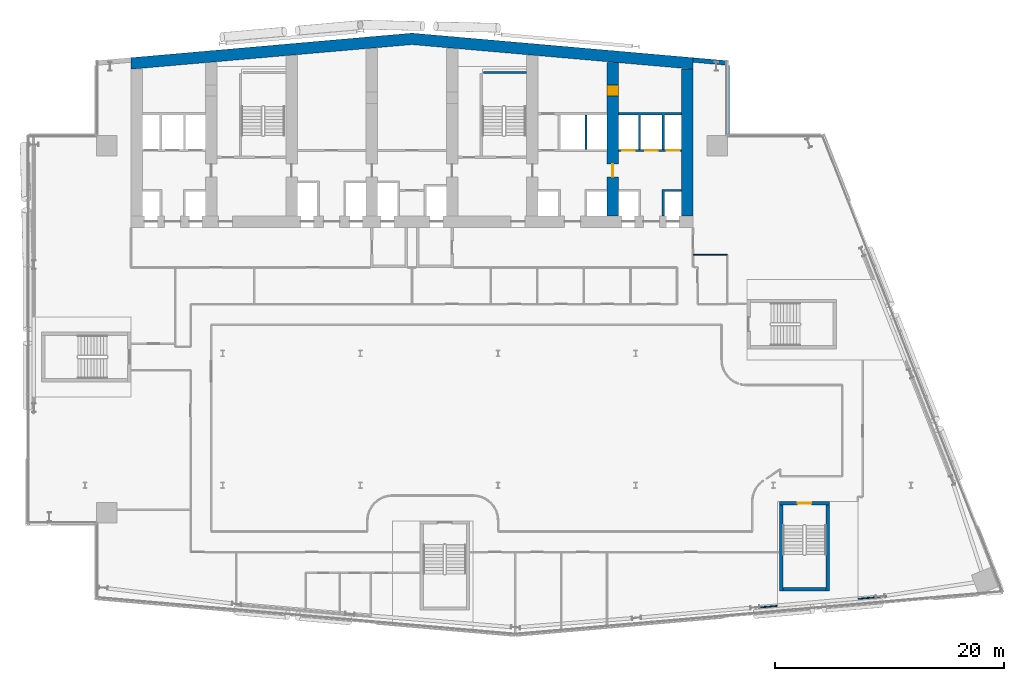
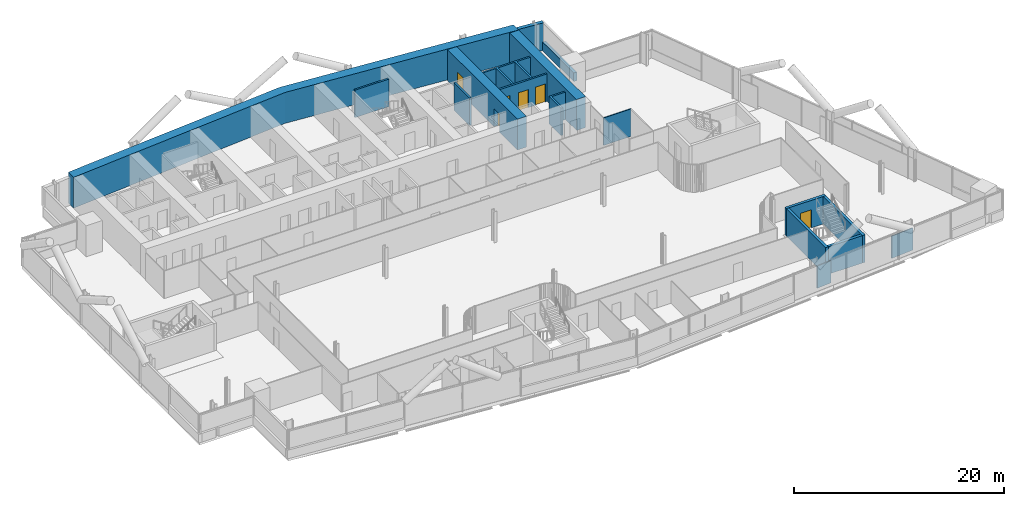
# One storey, part 22 of 30: 17 walls, 6 doors, 6 openings.
"""IFC4 building model written with IfcOpenShell, lengths in metres."""

from ifc_helpers import new_model, si_unit, direction, frame, frame_2d, origin, place, context, subcontext, project, spatial, polyline, rectangle, outline, extrude, material, layer, layer_set, type_object, element, fill, save


model = new_model("IFC4")

# Units and contexts
model_context = context("Model", 3, precision=1e-05, world=origin(), true_north=direction((0.0, 1.0)))
body_context = subcontext(model_context, "Body", "Model", "MODEL_VIEW")
ifc_project = project(units=[si_unit("LENGTHUNIT", "METRE"), si_unit("AREAUNIT", "SQUARE_METRE"), si_unit("VOLUMEUNIT", "CUBIC_METRE"), si_unit("PLANEANGLEUNIT", "RADIAN"), si_unit("MASSUNIT", "GRAM", prefix="KILO")], contexts=[model_context])

# Site, building, storey
site_placement = place(None, origin())
site = spatial("IfcSite", under=ifc_project, at=site_placement, CompositionType="ELEMENT")
building_placement = place(site_placement, origin())
building = spatial("IfcBuilding", under=site, at=building_placement, Name="Wharfspan Tower", CompositionType="ELEMENT")
storey_placement = place(building_placement, frame((0.0, 0.0, 100.300049)))
storey = spatial("IfcBuildingStorey", under=building, at=storey_placement, Name="L22", CompositionType="ELEMENT", Elevation=100.300049)

# Walls
ifc_material_1 = material(Name="Gypsum board on steel studs", Category="steel")
ifc_layer_1 = layer(ifc_material_1, 0.100098)
ifc_layer_set_1 = layer_set([ifc_layer_1], Name="Gypsum board on steel studs")
wall_type_1 = type_object("IfcWallType", Name="Compartment wall 100 EI 60", PredefinedType="PARTITIONING", material=ifc_layer_set_1)
wall_1_placement = place(storey_placement, frame((65.0, 31.600098, 0.0), z_axis=(0.0, 0.0, 1.0), x_axis=(1.0, 0.0, 0.0)))
element("IfcWall", 1, at=wall_1_placement, inside=storey, type_object=wall_type_1, Name="Partition L22.w077", PredefinedType="PARTITIONING", context=body_context, shape_type="SweptSolid", body=[
    extrude(rectangle(XDim=3.0, YDim=0.100098, at=frame_2d((1.5, 0.0))), origin(), (0.0, 0.0, 1.0), 3.199951),
])
ifc_material_2 = material(Name="Concrete C70/85", Category="concrete")
ifc_layer_2 = layer(ifc_material_2, 1.0)
ifc_layer_set_2 = layer_set([ifc_layer_2], Name="Concrete C70/85")
wall_type_2 = type_object("IfcWallType", Name="Core wall 1000 C70/85", PredefinedType="SHEAR", material=ifc_layer_set_2)
wall_2_placement = place(storey_placement, frame((0.0, 0.0, -0.000244)))
element("IfcWall", 2, at=wall_2_placement, inside=storey, type_object=wall_type_2, Name="Core rear wall L22", PredefinedType="SHEAR", context=body_context, shape_type="SweptSolid", body=[
    extrude(outline(polyline([(16.0, 47.783691), (40.5, 49.927002), (65.0, 47.783691), (65.0, 48.787354), (40.5, 50.930908), (16.0, 48.787354), (16.0, 47.783691)])), origin(), (0.0, 0.0, 1.0), 3.600098),
])

# Wall, openings, doors
wall_3_placement = place(storey_placement, frame((58.0, 35.0, 0.0), z_axis=(0.0, 0.0, 1.0), x_axis=(0.0, 1.0, 0.0)))
wall_3 = element("IfcWall", 3, at=wall_3_placement, inside=storey, type_object=wall_type_2, Name="Core cross wall X7 L22", PredefinedType="SHEAR", context=body_context, shape_type="SweptSolid", body=[
    extrude(rectangle(XDim=13.352295, YDim=1.0, at=frame_2d((6.67627, 0.0))), origin(), (0.0, 0.0, 1.0), 3.599854),
])
opening_1_placement = place(wall_3_placement, frame((10.425537, 0.0, 0.0)))
opening_1 = element("IfcOpeningElement", 4, at=opening_1_placement, cuts=wall_3, Name="Opening CD22.7X", PredefinedType="OPENING", context=body_context, shape_type="SweptSolid", body=[
    extrude(rectangle(XDim=1.0, YDim=2.100098, at=frame_2d((0.5, 1.050049))), frame((0.0, 0.51001, 0.0), z_axis=(0.0, -1.0, 0.0), x_axis=(1.0, 0.0, 0.0)), (0.0, 0.0, 1.0), 1.02002),
])
opening_2_placement = place(wall_3_placement, frame((3.399902, 0.0, 0.0)))
opening_2 = element("IfcOpeningElement", 5, at=opening_2_placement, cuts=wall_3, Name="Opening CC22.7", PredefinedType="OPENING", context=body_context, shape_type="SweptSolid", body=[
    extrude(rectangle(XDim=1.100098, YDim=2.100098, at=frame_2d((0.550049, 1.050049))), frame((0.0, 0.51001, 0.0), z_axis=(0.0, -1.0, 0.0), x_axis=(1.0, 0.0, 0.0)), (0.0, 0.0, 1.0), 1.02002),
])
ifc_material_3 = material(Name="Steel door leaf", Category="steel")
door_type_1 = type_object("IfcDoorType", Name="Core corridor door 1100x2100", OperationType="SINGLE_SWING_LEFT", PredefinedType="DOOR", material=ifc_material_3)
door_1_placement = place(opening_2_placement, origin())
door_1 = element("IfcDoor", 6, at=door_1_placement, inside=storey, type_object=door_type_1, Name="xd:L22:7", OperationType="SINGLE_SWING_LEFT", OverallHeight=2.100098, OverallWidth=1.100098, PredefinedType="DOOR", context=body_context, shape_type="SweptSolid", body=[
    extrude(rectangle(XDim=1.100098, YDim=2.100098, at=frame_2d((0.550049, 1.050049))), frame((0.0, 0.024902, 0.0), z_axis=(0.0, -1.0, 0.0), x_axis=(1.0, 0.0, 0.0)), (0.0, 0.0, 1.0), 0.050049),
])
fill(opening_2, door_1)
door_type_2 = type_object("IfcDoorType", Name="Core room door 1000x2100", OperationType="SINGLE_SWING_LEFT", PredefinedType="DOOR", material=ifc_material_3)
door_2_placement = place(opening_1_placement, origin())
door_2 = element("IfcDoor", 7, at=door_2_placement, inside=storey, type_object=door_type_2, Name="d:L22:7:sx", OperationType="SINGLE_SWING_LEFT", OverallHeight=2.100098, OverallWidth=1.0, PredefinedType="DOOR", context=body_context, shape_type="SweptSolid", body=[
    extrude(rectangle(XDim=1.0, YDim=2.100098, at=frame_2d((0.5, 1.050049))), frame((0.0, 0.499756, 0.0), z_axis=(0.0, -1.0, 0.0), x_axis=(1.0, 0.0, 0.0)), (0.0, 0.0, 1.0), 0.999512),
])
fill(opening_1, door_2)

# Walls
wall_4_placement = place(storey_placement, frame((64.5, 35.0, 0.0), z_axis=(0.0, 0.0, 1.0), x_axis=(0.0, 1.0, 0.0)))
element("IfcWall", 8, at=wall_4_placement, inside=storey, type_object=wall_type_2, Name="Core cross wall EW1 L22", PredefinedType="SHEAR", context=body_context, shape_type="SweptSolid", body=[
    extrude(rectangle(XDim=12.783691, YDim=1.0, at=frame_2d((6.391846, 0.0))), origin(), (0.0, 0.0, 1.0), 3.599854),
])
ifc_material_4 = material(Name="Concrete C30/37", Category="concrete")
ifc_layer_3 = layer(ifc_material_4, 0.199951)
ifc_layer_set_3 = layer_set([ifc_layer_3], Name="Concrete C30/37")
wall_type_3 = type_object("IfcWallType", Name="Lift shaft wall 200", PredefinedType="PARTITIONING", material=ifc_layer_set_3)
wall_5_placement = place(storey_placement, frame((0.0, 0.0, -0.000244)))
element("IfcWall", 9, at=wall_5_placement, inside=storey, type_object=wall_type_3, Name="sw:L22:RM6.1", PredefinedType="PARTITIONING", context=body_context, shape_type="SweptSolid", body=[
    extrude(outline(polyline([(55.56665, 40.800049), (55.56665, 43.800049), (55.766602, 43.800049), (55.766602, 40.800049), (55.56665, 40.800049)])), origin(), (0.0, 0.0, 1.0), 3.200195),
])

# Wall, openings, doors
wall_6_placement = place(storey_placement, frame((58.5, 40.699951, 0.0), z_axis=(0.0, 0.0, 1.0), x_axis=(1.0, 0.0, 0.0)))
wall_6 = element("IfcWall", 10, at=wall_6_placement, inside=storey, type_object=wall_type_3, Name="sw:L22:RF7", PredefinedType="PARTITIONING", context=body_context, shape_type="SweptSolid", body=[
    extrude(rectangle(XDim=5.5, YDim=0.199951, at=frame_2d((2.75, 0.0))), origin(), (0.0, 0.0, 1.0), 3.199951),
])
opening_3_placement = place(wall_6_placement, frame((0.31665, 0.0, 0.0)))
opening_3 = element("IfcOpeningElement", 11, at=opening_3_placement, cuts=wall_6, Name="Opening LD.LA8.L22", PredefinedType="OPENING", context=body_context, shape_type="SweptSolid", body=[
    extrude(rectangle(XDim=1.100098, YDim=2.100098, at=frame_2d((0.550049, 1.050049))), frame((0.0, 0.109863, 0.0), z_axis=(0.0, -1.0, 0.0), x_axis=(1.0, 0.0, 0.0)), (0.0, 0.0, 1.0), 0.219971),
])
opening_4_placement = place(wall_6_placement, frame((2.31665, 0.0, 0.0)))
opening_4 = element("IfcOpeningElement", 12, at=opening_4_placement, cuts=wall_6, Name="Opening LD.LA9.L22", PredefinedType="OPENING", context=body_context, shape_type="SweptSolid", body=[
    extrude(rectangle(XDim=1.100098, YDim=2.100098, at=frame_2d((0.550049, 1.050049))), frame((0.0, 0.109863, 0.0), z_axis=(0.0, -1.0, 0.0), x_axis=(1.0, 0.0, 0.0)), (0.0, 0.0, 1.0), 0.219971),
])
opening_5_placement = place(wall_6_placement, frame((4.199951, 0.0, 0.0)))
opening_5 = element("IfcOpeningElement", 13, at=opening_5_placement, cuts=wall_6, Name="Opening LD.LA10.L22", PredefinedType="OPENING", context=body_context, shape_type="SweptSolid", body=[
    extrude(rectangle(XDim=1.100098, YDim=2.100098, at=frame_2d((0.550049, 1.050049))), frame((0.0, 0.109863, 0.0), z_axis=(0.0, -1.0, 0.0), x_axis=(1.0, 0.0, 0.0)), (0.0, 0.0, 1.0), 0.219971),
])
ifc_material_5 = material(Name="Stainless steel", Category="steel")
door_type_3 = type_object("IfcDoorType", Name="Lift landing door 1100x2100", OperationType="DOUBLE_DOOR_SLIDING", PredefinedType="DOOR", material=ifc_material_5)
door_3_placement = place(opening_3_placement, origin())
door_3 = element("IfcDoor", 14, at=door_3_placement, inside=storey, type_object=door_type_3, Name="Landing door LA8 L22", OperationType="DOUBLE_DOOR_SLIDING", OverallHeight=2.100098, OverallWidth=1.100098, PredefinedType="DOOR", context=body_context, shape_type="SweptSolid", body=[
    extrude(rectangle(XDim=1.100098, YDim=2.100098, at=frame_2d((0.550049, 1.050049))), frame((0.0, 0.024902, 0.0), z_axis=(0.0, -1.0, 0.0), x_axis=(1.0, 0.0, 0.0)), (0.0, 0.0, 1.0), 0.050049),
])
fill(opening_3, door_3)
door_4_placement = place(opening_4_placement, origin())
door_4 = element("IfcDoor", 15, at=door_4_placement, inside=storey, type_object=door_type_3, Name="Landing door LA9 L22", OperationType="DOUBLE_DOOR_SLIDING", OverallHeight=2.100098, OverallWidth=1.100098, PredefinedType="DOOR", context=body_context, shape_type="SweptSolid", body=[
    extrude(rectangle(XDim=1.100098, YDim=2.100098, at=frame_2d((0.550049, 1.050049))), frame((0.0, 0.024902, 0.0), z_axis=(0.0, -1.0, 0.0), x_axis=(1.0, 0.0, 0.0)), (0.0, 0.0, 1.0), 0.050049),
])
fill(opening_4, door_4)
door_5_placement = place(opening_5_placement, origin())
door_5 = element("IfcDoor", 16, at=door_5_placement, inside=storey, type_object=door_type_3, Name="Landing door LA10 L22", OperationType="DOUBLE_DOOR_SLIDING", OverallHeight=2.100098, OverallWidth=1.100098, PredefinedType="DOOR", context=body_context, shape_type="SweptSolid", body=[
    extrude(rectangle(XDim=1.100098, YDim=2.100098, at=frame_2d((0.550049, 1.050049))), frame((0.0, 0.024902, 0.0), z_axis=(0.0, -1.0, 0.0), x_axis=(1.0, 0.0, 0.0)), (0.0, 0.0, 1.0), 0.050049),
])
fill(opening_5, door_5)

# Walls
wall_7_placement = place(storey_placement, frame((0.0, 0.0, -0.000244)))
element("IfcWall", 17, at=wall_7_placement, inside=storey, type_object=wall_type_3, Name="sw:L22:FM7.1", PredefinedType="PARTITIONING", context=body_context, shape_type="SweptSolid", body=[
    extrude(outline(polyline([(62.300049, 37.300049), (62.5, 37.300049), (64.0, 37.300049), (64.0, 37.100098), (62.5, 37.100098), (62.5, 35.0), (62.300049, 35.0), (62.300049, 37.300049)])), origin(), (0.0, 0.0, 1.0), 3.200195),
])
wall_8_placement = place(storey_placement, frame((0.0, 0.0, -0.000244)))
element("IfcWall", 18, at=wall_8_placement, inside=storey, type_object=wall_type_3, Name="sw:L22:RM7.0", PredefinedType="PARTITIONING", context=body_context, shape_type="SweptSolid", body=[
    extrude(outline(polyline([(60.43335, 40.800049), (60.233398, 40.800049), (60.233398, 43.800049), (58.5, 43.800049), (58.5, 44.0), (64.0, 44.0), (64.0, 43.800049), (62.5, 43.800049), (62.5, 40.800049), (62.300049, 40.800049), (62.300049, 43.800049), (60.43335, 43.800049), (60.43335, 40.800049)])), origin(), (0.0, 0.0, 1.0), 3.200195),
])
ifc_layer_4 = layer(ifc_material_1, 0.100098)
ifc_layer_set_4 = layer_set([ifc_layer_4], Name="Gypsum board on steel studs")
wall_type_4 = type_object("IfcWallType", Name="Partition 100", PredefinedType="PARTITIONING", material=ifc_layer_set_4)
wall_9_placement = place(storey_placement, frame((70.75, 0.850098, 0.0), z_axis=(0.0, 0.0, 1.0), x_axis=(0.995996, 0.089437, 0.0)))
element("IfcWall", 19, at=wall_9_placement, inside=storey, type_object=wall_type_4, Name="Partition L22.w111", PredefinedType="PARTITIONING", context=body_context, shape_type="SweptSolid", body=[
    extrude(rectangle(XDim=1.602295, YDim=0.100098, at=frame_2d((0.80127, 0.0))), origin(), (0.0, 0.0, 1.0), 2.579834),
])
wall_10_placement = place(storey_placement, frame((79.385986, 1.606689, 0.0), z_axis=(0.0, 0.0, 1.0), x_axis=(0.996209, 0.086973, 0.0)))
element("IfcWall", 20, at=wall_10_placement, inside=storey, type_object=wall_type_4, Name="Partition L22.w120", PredefinedType="PARTITIONING", context=body_context, shape_type="SweptSolid", body=[
    extrude(rectangle(XDim=2.453369, YDim=0.100098, at=frame_2d((1.226562, 0.0))), origin(), (0.0, 0.0, 1.0), 2.579834),
])
ifc_material_6 = material(Name="Concrete C40/50", Category="concrete")
ifc_layer_5 = layer(ifc_material_6, 0.350098)
ifc_layer_set_5 = layer_set([ifc_layer_5], Name="Concrete C40/50")
wall_type_5 = type_object("IfcWallType", Name="SPANDREL EXPOSED CONCRETE 350", PredefinedType="SOLIDWALL", material=ifc_layer_set_5)
wall_11_placement = place(storey_placement, frame((68.004883, 42.179932, 0.0), z_axis=(0.0, 0.0, 1.0), x_axis=(0.0, 1.0, 0.0)))
element("IfcWall", 21, at=wall_11_placement, inside=storey, type_object=wall_type_5, Name="Spandrel upstand L22 NRE-V", PredefinedType="SOLIDWALL", context=body_context, shape_type="SweptSolid", body=[
    extrude(rectangle(XDim=5.946533, YDim=0.350098, at=frame_2d((2.973145, 0.0))), origin(), (0.0, 0.0, 1.0), 1.0),
])

# Wall, opening, door
ifc_layer_6 = layer(ifc_material_6, 0.300049)
ifc_layer_set_6 = layer_set([ifc_layer_6], Name="Concrete C40/50")
wall_type_6 = type_object("IfcWallType", Name="Stair core wall 300", PredefinedType="SHEAR", material=ifc_layer_set_6)
wall_12_placement = place(storey_placement, frame((72.541016, 9.94458, 0.0), z_axis=(0.0, 0.0, 1.0), x_axis=(1.0, 0.0, 0.0)))
wall_12 = element("IfcWall", 22, at=wall_12_placement, inside=storey, type_object=wall_type_6, Name="ST5 stair enclosure wall L22", PredefinedType="SHEAR", context=body_context, shape_type="SweptSolid", body=[
    extrude(rectangle(XDim=4.350098, YDim=0.300049, at=frame_2d((2.175049, 0.0))), origin(), (0.0, 0.0, 1.0), 3.199951),
])
opening_6_placement = place(wall_12_placement, frame((1.574951, 0.0, 0.0)))
opening_6 = element("IfcOpeningElement", 23, at=opening_6_placement, cuts=wall_12, Name="Opening SD5.L22", PredefinedType="OPENING", context=body_context, shape_type="SweptSolid", body=[
    extrude(rectangle(XDim=1.199951, YDim=2.100098, at=frame_2d((0.600098, 1.050049))), frame((0.0, 0.159912, 0.0), z_axis=(0.0, -1.0, 0.0), x_axis=(1.0, 0.0, 0.0)), (0.0, 0.0, 1.0), 0.320068),
])
door_type_4 = type_object("IfcDoorType", Name="Stair door 1200x2100", OperationType="SINGLE_SWING_LEFT", PredefinedType="DOOR", material=ifc_material_3)
door_6_placement = place(opening_6_placement, origin())
door_6 = element("IfcDoor", 24, at=door_6_placement, inside=storey, type_object=door_type_4, Name="sd:L22:ST5z2", OperationType="SINGLE_SWING_RIGHT", OverallHeight=2.100098, OverallWidth=1.199951, PredefinedType="DOOR", context=body_context, shape_type="SweptSolid", body=[
    extrude(rectangle(XDim=1.199951, YDim=2.100098, at=frame_2d((0.600098, 1.050049))), frame((0.0, 0.024902, 0.0), z_axis=(0.0, -1.0, 0.0), x_axis=(1.0, 0.0, 0.0)), (0.0, 0.0, 1.0), 0.050049),
])
fill(opening_6, door_6)

# Walls
for number, where, z_axis, x_axis, name in (
    (25, (72.690918, 2.294678, 0.0), (0.0, 0.0, 1.0), (0.0, 1.0, 0.0), "ST5 stair enclosure wall L22"),
    (26, (76.740967, 2.294678, 0.0), (0.0, 0.0, 1.0), (0.0, 1.0, 0.0), "ST5 stair enclosure wall L22"),
):
    element("IfcWall", number, at=place(storey_placement, frame(where, z_axis=z_axis, x_axis=x_axis)), inside=storey, type_object=wall_type_6, Name=name, PredefinedType="SHEAR", context=body_context, shape_type="SweptSolid", body=[
        extrude(rectangle(XDim=7.5, YDim=0.300049, at=frame_2d((3.75, 0.0))), origin(), (0.0, 0.0, 1.0), 3.199951),
    ])
wall_13_placement = place(storey_placement, frame((72.841064, 2.44458, 0.0), z_axis=(0.0, 0.0, 1.0), x_axis=(1.0, 0.0, 0.0)))
element("IfcWall", 27, at=wall_13_placement, inside=storey, type_object=wall_type_6, Name="ST5 stair enclosure wall L22", PredefinedType="SHEAR", context=body_context, shape_type="SweptSolid", body=[
    extrude(rectangle(XDim=3.75, YDim=0.300049, at=frame_2d((1.875, 0.0))), origin(), (0.0, 0.0, 1.0), 3.199951),
])
ifc_layer_7 = layer(ifc_material_6, 0.199951)
ifc_layer_set_7 = layer_set([ifc_layer_7], Name="Concrete C40/50")
wall_type_7 = type_object("IfcWallType", Name="Stair shaft wall 200", PredefinedType="SHEAR", material=ifc_layer_set_7)
wall_14_placement = place(storey_placement, frame((46.75, 47.5, 0.0), z_axis=(0.0, 0.0, 1.0), x_axis=(1.0, 0.0, 0.0)))
element("IfcWall", 28, at=wall_14_placement, inside=storey, type_object=wall_type_7, Name="ST2 stair enclosure wall L22", PredefinedType="SHEAR", context=body_context, shape_type="SweptSolid", body=[
    extrude(rectangle(XDim=3.75, YDim=0.199951, at=frame_2d((1.875, 0.0))), origin(), (0.0, 0.0, 1.0), 3.199951),
])
ifc_layer_8 = layer(ifc_material_6, 0.399902)
ifc_layer_set_8 = layer_set([ifc_layer_8], Name="Concrete C40/50")
wall_type_8 = type_object("IfcWallType", Name="WALL EXPOSED CONCRETE 400", PredefinedType="SOLIDWALL", material=ifc_layer_set_8)
wall_15_placement = place(storey_placement, frame((67.982666, 48.325684, 0.0), z_axis=(0.0, 0.0, 1.0), x_axis=(-0.996194, 0.087168, 0.0)))
element("IfcWall", 29, at=wall_15_placement, inside=storey, type_object=wall_type_8, Name="Rear wall N2", PredefinedType="SOLIDWALL", context=body_context, shape_type="SweptSolid", body=[
    extrude(rectangle(XDim=2.994141, YDim=0.399902, at=frame_2d((1.49707, 0.0))), origin(), (0.0, 0.0, 1.0), 3.199951),
])

save(model, "model.ifc")
